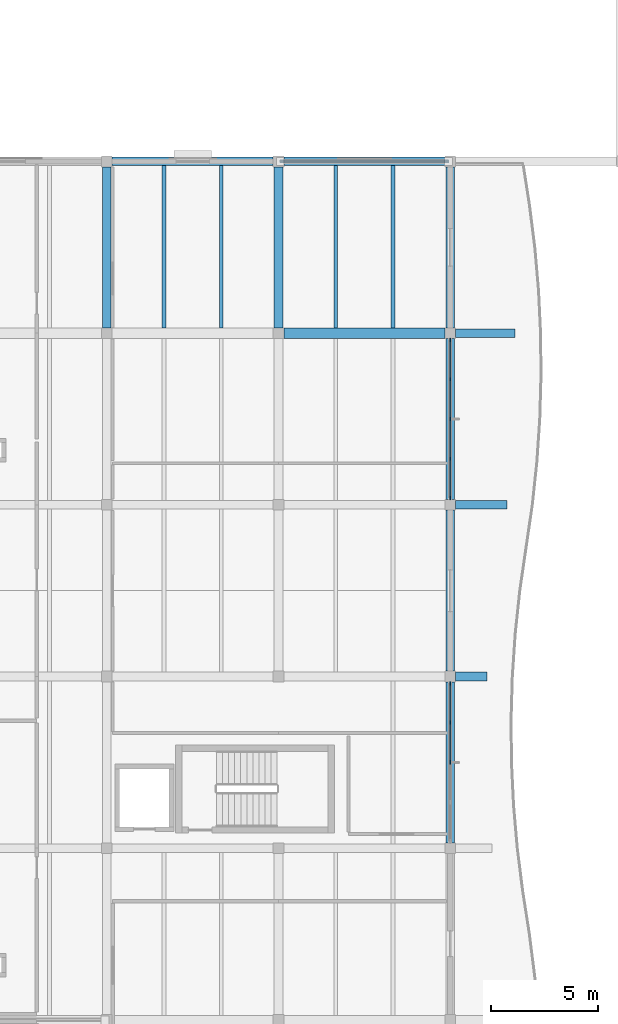
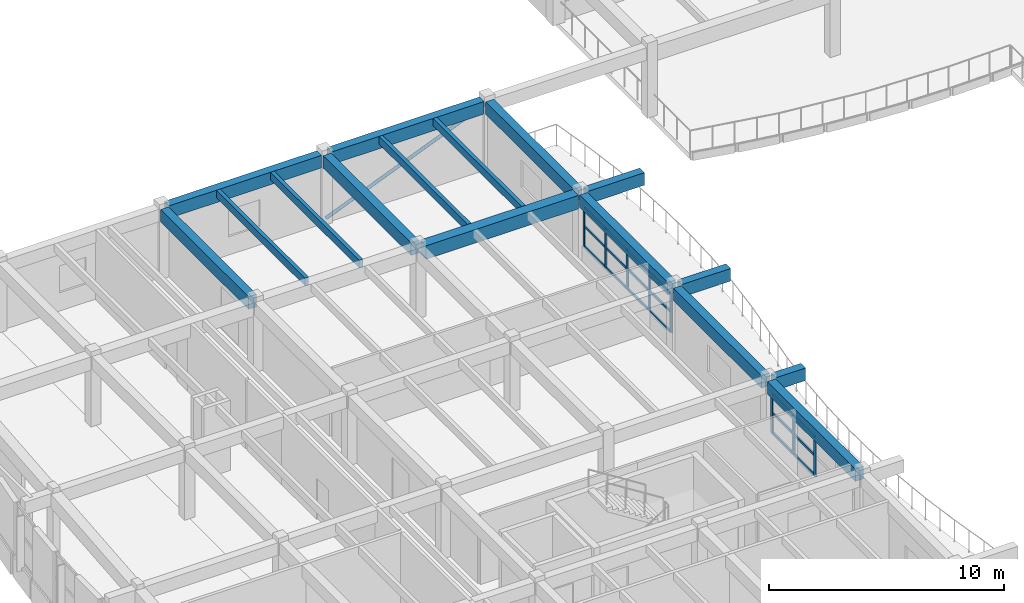
# One storey, part 17 of 89: 27 members, 16 beams, 2 elements without a shape of their own.
"""IFC4 building model written with IfcOpenShell, lengths in metres."""

import ifcopenshell
import ifcopenshell.guid

model = None  # the IFC model being written
_history = None  # IfcOwnerHistory: only IFC2X3 demands one
_inside = {}  # id of a spatial element -> (the spatial element, [elements in it])
_under = {}  # id of a project, library or spatial element -> (it, [spatial elements below it])
_declared = {}  # id of a project -> (the project, [libraries it declares])
_typed = {}  # id of a type object -> (the type object, [elements of that type])
_made_of = {}  # id of a material, layer set ... -> (it, [elements and type objects made of it])


def new_model(schema):
    """Start an empty IFC model of exactly this schema.

    Asked for "IFC4X3", IfcOpenShell would pick the latest addendum, in which some entities
    have other attributes; the version numbers below select the first issue.
    IFC2X3 requires an IfcOwnerHistory on every rooted entity: one is made here for all.
    """
    global model, _history
    if schema == "IFC4X3":
        model = ifcopenshell.file(schema_version=(4, 3, 0, 0))
    else:
        model = ifcopenshell.file(schema=schema)
    _inside.clear()
    _under.clear()
    _declared.clear()
    _typed.clear()
    _made_of.clear()
    _history = None
    if model.schema == "IFC2X3":
        org = make("IfcOrganization", Name="unknown")
        user = make(
            "IfcPersonAndOrganization",
            ThePerson=make("IfcPerson", FamilyName="unknown"),
            TheOrganization=org,
        )
        app = make(
            "IfcApplication",
            ApplicationDeveloper=org,
            Version="unknown",
            ApplicationFullName="unknown",
            ApplicationIdentifier="unknown",
        )
        _history = make(
            "IfcOwnerHistory",
            OwningUser=user,
            OwningApplication=app,
            ChangeAction="ADDED",
            CreationDate=0,
        )
    return model


def make(cls, **values):
    """One entity of the class cls with the attributes given. An attribute that is None is left unset."""
    return model.create_entity(
        cls, **{name: value for name, value in values.items() if value is not None}
    )


def rooted(cls, **values):
    """An entity with a GlobalId (a new one), such as an element, a storey or a relation."""
    return make(cls, GlobalId=ifcopenshell.guid.new(), OwnerHistory=_history, **values)


def si_unit(unit_type, name, prefix=None):
    """IfcSIUnit, for example si_unit("LENGTHUNIT", "METRE", prefix="MILLI")."""
    return make("IfcSIUnit", UnitType=unit_type, Prefix=prefix, Name=name)


def assignment(units):
    """IfcUnitAssignment: the units of a project."""
    return None if units is None else make("IfcUnitAssignment", Units=units)


def point(xyz):
    """IfcCartesianPoint."""
    return None if xyz is None else make("IfcCartesianPoint", Coordinates=xyz)


def direction(xyz):
    """IfcDirection."""
    return None if xyz is None else make("IfcDirection", DirectionRatios=xyz)


def frame(location, z_axis=None, x_axis=None):
    """IfcAxis2Placement3D, a coordinate frame: its origin and axes. An axis left out is left unset."""
    return make(
        "IfcAxis2Placement3D",
        Location=point(location),
        Axis=direction(z_axis),
        RefDirection=direction(x_axis),
    )


def frame_2d(location, x_axis=None):
    """IfcAxis2Placement2D, a coordinate frame in the plane: its origin and x axis."""
    return make(
        "IfcAxis2Placement2D", Location=point(location), RefDirection=direction(x_axis)
    )


def origin():
    """The frame at (0, 0, 0) with its axes left unset."""
    return frame((0.0, 0.0, 0.0))


def origin_2d():
    """The frame at (0, 0) in the plane with its x axis left unset."""
    return frame_2d((0.0, 0.0))


def place(relative_to, where):
    """IfcLocalPlacement: puts the frame where relative to a parent placement (None: the world)."""
    return make(
        "IfcLocalPlacement", PlacementRelTo=relative_to, RelativePlacement=where
    )


def context(
    kind, dimensions, precision=None, world=None, true_north=None, identifier=None
):
    """IfcGeometricRepresentationContext, for example the 3D "Model" context."""
    return make(
        "IfcGeometricRepresentationContext",
        ContextIdentifier=identifier,
        ContextType=kind,
        CoordinateSpaceDimension=dimensions,
        Precision=precision,
        WorldCoordinateSystem=world,
        TrueNorth=true_north,
    )


def subcontext(parent, identifier, kind, view, scale=None):
    """IfcGeometricRepresentationSubContext, for example "Body" below "Model"."""
    return make(
        "IfcGeometricRepresentationSubContext",
        ContextIdentifier=identifier,
        ContextType=kind,
        ParentContext=parent,
        TargetScale=scale,
        TargetView=view,
    )


def project(units=None, contexts=None):
    """IfcProject with its units and contexts."""
    return rooted(
        "IfcProject",
        Name="project",
        RepresentationContexts=contexts,
        UnitsInContext=assignment(units),
    )


def spatial(cls, under=None, at=None, **own):
    """A site, building, storey or space (cls), placed at a placement, below another one or the project."""
    s = rooted(cls, ObjectPlacement=at, **own)
    if under is not None:
        _under.setdefault(under.id(), (under, []))[1].append(s)
    return s


def profile(cls, at=None, kind="AREA", **sizes):
    """A parametric profile (cls). Its sizes go by their IFC names, for example OverallWidth=200.0."""
    return make(cls, ProfileType=kind, Position=at, **sizes)


def rectangle(**sizes):
    """IfcRectangleProfileDef."""
    return profile("IfcRectangleProfileDef", **sizes)


def hollow_circle(**sizes):
    """IfcCircleHollowProfileDef."""
    return profile("IfcCircleHollowProfileDef", **sizes)


def extrude(swept, where, along, depth):
    """IfcExtrudedAreaSolid: the profile swept, set in the frame where, extruded along a direction by depth."""
    return make(
        "IfcExtrudedAreaSolid",
        SweptArea=swept,
        Position=where,
        ExtrudedDirection=direction(along),
        Depth=depth,
    )


def shape(context_of_items, identifier, shape_type, items):
    """IfcShapeRepresentation: the items that make up one representation, for example the "Body"."""
    return make(
        "IfcShapeRepresentation",
        ContextOfItems=context_of_items,
        RepresentationIdentifier=identifier,
        RepresentationType=shape_type,
        Items=items,
    )


def material(Name=None, Category=None):
    """IfcMaterial."""
    return make("IfcMaterial", Name=Name, Category=Category)


def layer(
    of_material, thickness, ventilated=None, Name=None, Category=None, Priority=None
):
    """IfcMaterialLayer: one layer of a wall or slab, of a material (None: an air gap)."""
    return make(
        "IfcMaterialLayer",
        Material=of_material,
        LayerThickness=thickness,
        IsVentilated=ventilated,
        Name=Name,
        Category=Category,
        Priority=Priority,
    )


def layer_set(layers, Name=None):
    """IfcMaterialLayerSet."""
    return make("IfcMaterialLayerSet", MaterialLayers=layers, LayerSetName=Name)


def material_profile(
    of_material, cross_section, Name=None, Category=None, Priority=None
):
    """IfcMaterialProfile: a cross section and its material."""
    return make(
        "IfcMaterialProfile",
        Name=Name,
        Material=of_material,
        Profile=cross_section,
        Priority=Priority,
        Category=Category,
    )


def profile_set(profiles, Name=None, composite=None):
    """IfcMaterialProfileSet."""
    return make(
        "IfcMaterialProfileSet",
        Name=Name,
        MaterialProfiles=profiles,
        CompositeProfile=composite,
    )


def made_of(thing, what):
    """Note that an element or type object is made of a material, layer set ...; save() writes the relation."""
    if what is not None:
        _made_of.setdefault(what.id(), (what, []))[1].append(thing)
    return thing


def type_object(cls, material=None, **own):
    """A type object (cls), such as IfcWallType, which elements share."""
    return made_of(rooted(cls, **own), material)


def element(
    cls,
    number,
    at=None,
    inside=None,
    cuts=None,
    type_object=None,
    material=None,
    context=None,
    identifier="Body",
    shape_type=None,
    held_by="IfcProductDefinitionShape",
    body=None,
    shapes=None,
    **own,
):
    """One element of the class cls, such as IfcWall. Its Tag is "e" and its number.

    at: its placement. inside: the storey or other place that contains it. cuts: it is an
    opening in that element (IfcRelVoidsElement). A single representation is given by context,
    identifier, shape_type and body (its items); several are given by shapes. held_by: the class
    of the entity that holds the representations. save() writes the other relations.
    """
    e = rooted(cls, Tag="e%d" % number, ObjectPlacement=at, **own)
    if body is not None:
        shapes = [shape(context, identifier, shape_type, body)]
    if shapes is not None:
        e.Representation = make(held_by, Representations=shapes)
    if inside is not None:
        _inside.setdefault(inside.id(), (inside, []))[1].append(e)
    if cuts is not None:
        rooted(
            "IfcRelVoidsElement", RelatingBuildingElement=cuts, RelatedOpeningElement=e
        )
    if type_object is not None:
        _typed.setdefault(type_object.id(), (type_object, []))[1].append(e)
    return made_of(e, material)


def aggregate(whole, parts):
    """IfcRelAggregates: a whole, such as a stair, and the parts it consists of."""
    return rooted("IfcRelAggregates", RelatingObject=whole, RelatedObjects=parts)


def save(model, path):
    """Write the relations noted so far, then the file.

    IfcRelAggregates (storeys below a building ...), IfcRelContainedInSpatialStructure (elements
    in a storey), IfcRelDefinesByType, IfcRelAssociatesMaterial and IfcRelDeclares: one each for
    every whole, place, type object, material and project.
    """
    for whole, parts in _under.values():
        aggregate(whole, parts)
    for where, things in _inside.values():
        rooted(
            "IfcRelContainedInSpatialStructure",
            RelatedElements=things,
            RelatingStructure=where,
        )
    for kind, things in _typed.values():
        rooted("IfcRelDefinesByType", RelatedObjects=things, RelatingType=kind)
    for what, things in _made_of.values():
        rooted("IfcRelAssociatesMaterial", RelatedObjects=things, RelatingMaterial=what)
    for by, libraries in _declared.values():
        rooted("IfcRelDeclares", RelatingContext=by, RelatedDefinitions=libraries)
    model.write(path)


model = new_model("IFC4")

# Units and contexts
model_context = context("Model", 3, precision=1e-05, world=origin(), true_north=direction((0.0, 1.0)))
body_context = subcontext(model_context, "Body", "Model", "MODEL_VIEW")
ifc_project = project(units=[si_unit("LENGTHUNIT", "METRE"), si_unit("AREAUNIT", "SQUARE_METRE"), si_unit("VOLUMEUNIT", "CUBIC_METRE"), si_unit("PLANEANGLEUNIT", "RADIAN"), si_unit("MASSUNIT", "GRAM", prefix="KILO")], contexts=[model_context])

# Site, building, storey
site_placement = place(None, origin())
site = spatial("IfcSite", under=ifc_project, at=site_placement, CompositionType="ELEMENT")
building_placement = place(site_placement, origin())
building = spatial("IfcBuilding", under=site, at=building_placement, Name="Tonlespit Floodbar School", CompositionType="ELEMENT")
storey_placement = place(building_placement, frame((0.0, 0.0, 4.5)))
storey = spatial("IfcBuildingStorey", under=building, at=storey_placement, Name="L01", CompositionType="ELEMENT", Elevation=4.5)

# Beams
ifc_material_1 = material(Name="Concrete C40/50", Category="concrete")
ifc_material_profile_1 = material_profile(ifc_material_1, rectangle(XDim=0.39990234375, YDim=0.64990234375, at=origin_2d()), Name="RC 400x650")
ifc_profile_set_1 = profile_set([ifc_material_profile_1], Name="Concrete C40/50")
beam_type_1 = type_object("IfcBeamType", Name="Beam_RC_400x650", PredefinedType="BEAM", material=ifc_profile_set_1)
for number, where, z_axis, x_axis, name in (
    (1, (20.25, 96.0, 3.324951171875), (1.0, 0.0, 0.0), (0.0, 1.0, 0.0), "L01 girder 0614"),
    (2, (28.25, 96.0, 3.324951171875), (1.0, 0.0, 0.0), (0.0, 1.0, 0.0), "L01 girder 0615"),
    (3, (20.0, 88.25, 3.324951171875), (0.0, 1.0, 0.0), (-1.0, 0.0, 0.0), "L01 girder 0699"),
    (4, (28.0, 88.25, 3.324951171875), (0.0, 1.0, 0.0), (-1.0, 0.0, 0.0), "L01 girder 0711"),
    (5, (36.0, 64.25, 3.324951171875), (0.0, 1.0, 0.0), (-1.0, 0.0, 0.0), "L01 girder 0721"),
    (6, (36.0, 72.25, 3.324951171875), (0.0, 1.0, 0.0), (-1.0, 0.0, 0.0), "L01 girder 0722"),
    (7, (36.0, 80.25, 3.324951171875), (0.0, 1.0, 0.0), (-1.0, 0.0, 0.0), "L01 girder 0723"),
    (8, (36.0, 88.25, 3.324951171875), (0.0, 1.0, 0.0), (-1.0, 0.0, 0.0), "L01 girder 0724"),
):
    element("IfcBeam", number, at=place(storey_placement, frame(where, z_axis=z_axis, x_axis=x_axis)), inside=storey, type_object=beam_type_1, Name=name, PredefinedType="BEAM", context=body_context, shape_type="SweptSolid", body=[
        extrude(rectangle(XDim=0.39990234375, YDim=0.64990234375, at=origin_2d()), origin(), (0.0, 0.0, 1.0), 7.5),
    ])
beam_1_placement = place(storey_placement, frame((36.25, 72.0, 3.3310546875), z_axis=(1.0, 0.0, 0.0), x_axis=(0.0, 1.0, 0.0)))
element("IfcBeam", 9, at=beam_1_placement, inside=storey, type_object=beam_type_1, Name="L01 V2 court gallery cantilever rib", PredefinedType="BEAM", context=body_context, shape_type="SweptSolid", body=[
    extrude(rectangle(XDim=0.39990234375, YDim=0.64990234375, at=origin_2d()), origin(), (0.0, 0.0, 1.0), 1.460693359375),
])
beam_2_placement = place(storey_placement, frame((36.25, 80.0, 3.3310546875), z_axis=(1.0, 0.0, 0.0), x_axis=(0.0, 1.0, 0.0)))
element("IfcBeam", 10, at=beam_2_placement, inside=storey, type_object=beam_type_1, Name="L01 V2 court gallery cantilever rib", PredefinedType="BEAM", context=body_context, shape_type="SweptSolid", body=[
    extrude(rectangle(XDim=0.39990234375, YDim=0.64990234375, at=origin_2d()), origin(), (0.0, 0.0, 1.0), 2.3916015625),
])
beam_3_placement = place(storey_placement, frame((36.25, 88.0, 3.3310546875), z_axis=(1.0, 0.0, 0.0), x_axis=(0.0, 1.0, 0.0)))
element("IfcBeam", 11, at=beam_3_placement, inside=storey, type_object=beam_type_1, Name="L01 V2 court gallery cantilever rib", PredefinedType="BEAM", context=body_context, shape_type="SweptSolid", body=[
    extrude(rectangle(XDim=0.39990234375, YDim=0.64990234375, at=origin_2d()), origin(), (0.0, 0.0, 1.0), 2.77783203125),
])

# Member
ifc_material_2 = material(Name="Steel S355", Category="steel")
ifc_material_profile_2 = material_profile(ifc_material_2, hollow_circle(Radius=0.084228515625, WallThickness=0.008056640625, at=origin_2d()), Name="CHS 168.3x8")
ifc_profile_set_2 = profile_set([ifc_material_profile_2], Name="Steel S355")
member_type_1 = type_object("IfcMemberType", Name="Brace_STL_CHS168", PredefinedType="BRACE", material=ifc_profile_set_2)
member_1_placement = place(storey_placement, frame((28.080078125, 96.0, 0.14990234375), z_axis=(0.925836938306, 0.0, 0.377923224568), x_axis=(0.0, 1.0, 0.0)))
element("IfcMember", 12, at=member_1_placement, inside=storey, type_object=member_type_1, Name="L01 exposed deconstructivist lateral brace 2", PredefinedType="BRACE", context=body_context, shape_type="SweptSolid", body=[
    extrude(hollow_circle(Radius=0.084228515625, WallThickness=0.008056640625, at=origin_2d()), origin(), (0.0, 0.0, 1.0), 8.4677734375),
])

# Curtain wall, members
ifc_material_3 = material(Name="Anodised Aluminium", Category="aluminium")
ifc_layer = layer(ifc_material_3, 0.159912109375)
ifc_layer_set = layer_set([ifc_layer], Name="Anodised Aluminium")
curtain_wall_type = type_object("IfcCurtainWallType", Name="CurtainWall_7400x2050", PredefinedType="NOTDEFINED", material=ifc_layer_set)
curtain_wall_1_placement = place(storey_placement, origin())
curtain_wall_1 = element("IfcCurtainWall", 13, at=curtain_wall_1_placement, inside=storey, type_object=curtain_wall_type, Name="L01 unitised curtain wall 0282", PredefinedType="NOTDEFINED")
ifc_material_profile_3 = material_profile(ifc_material_3, rectangle(XDim=0.06494140625, YDim=0.14990234375, at=origin_2d()), Name="ALU M65x150")
ifc_profile_set_3 = profile_set([ifc_material_profile_3], Name="Anodised Aluminium")
member_type_2 = type_object("IfcMemberType", Name="CW_Mullion_65x150", PredefinedType="MULLION", material=ifc_profile_set_3)
member_2_placement = place(storey_placement, frame((36.0, 87.677490234375, 0.949951171875), z_axis=(0.0, 0.0, 1.0), x_axis=(1.0, 0.0, 0.0)))
member_2 = element("IfcMember", 14, at=member_2_placement, type_object=member_type_2, Name="CW-36 mullion 1", PredefinedType="MULLION", context=body_context, shape_type="SweptSolid", body=[
    extrude(rectangle(XDim=0.06494140625, YDim=0.14990234375, at=origin_2d()), origin(), (0.0, 0.0, 1.0), 2.050048828125),
])
member_3_placement = place(storey_placement, frame((36.0, 85.85498046875, 0.949951171875), z_axis=(0.0, 0.0, 1.0), x_axis=(1.0, 0.0, 0.0)))
member_3 = element("IfcMember", 15, at=member_3_placement, type_object=member_type_2, Name="CW-36 mullion 2", PredefinedType="MULLION", context=body_context, shape_type="SweptSolid", body=[
    extrude(rectangle(XDim=0.06494140625, YDim=0.14990234375, at=origin_2d()), origin(), (0.0, 0.0, 1.0), 2.050048828125),
])
member_4_placement = place(storey_placement, frame((36.0, 84.0, 0.949951171875), z_axis=(0.0, 0.0, 1.0), x_axis=(1.0, 0.0, 0.0)))
member_4 = element("IfcMember", 16, at=member_4_placement, type_object=member_type_2, Name="CW-36 mullion 3", PredefinedType="MULLION", context=body_context, shape_type="SweptSolid", body=[
    extrude(rectangle(XDim=0.06494140625, YDim=0.14990234375, at=origin_2d()), origin(), (0.0, 0.0, 1.0), 2.050048828125),
])
member_5_placement = place(storey_placement, frame((36.0, 82.14501953125, 0.949951171875), z_axis=(0.0, 0.0, 1.0), x_axis=(1.0, 0.0, 0.0)))
member_5 = element("IfcMember", 17, at=member_5_placement, type_object=member_type_2, Name="CW-36 mullion 4", PredefinedType="MULLION", context=body_context, shape_type="SweptSolid", body=[
    extrude(rectangle(XDim=0.06494140625, YDim=0.14990234375, at=origin_2d()), origin(), (0.0, 0.0, 1.0), 2.050048828125),
])
member_6_placement = place(storey_placement, frame((36.0, 80.322509765625, 0.949951171875), z_axis=(0.0, 0.0, 1.0), x_axis=(1.0, 0.0, 0.0)))
member_6 = element("IfcMember", 18, at=member_6_placement, type_object=member_type_2, Name="CW-36 mullion 5", PredefinedType="MULLION", context=body_context, shape_type="SweptSolid", body=[
    extrude(rectangle(XDim=0.06494140625, YDim=0.14990234375, at=origin_2d()), origin(), (0.0, 0.0, 1.0), 2.050048828125),
])

curtain_wall_2_placement = place(storey_placement, origin())
curtain_wall_2 = element("IfcCurtainWall", 19, at=curtain_wall_2_placement, inside=storey, type_object=curtain_wall_type, Name="L01 unitised curtain wall 0283", PredefinedType="NOTDEFINED")
ifc_material_profile_4 = material_profile(ifc_material_3, rectangle(XDim=0.06494140625, YDim=0.179931640625, at=origin_2d()), Name="ALU M65x180")
ifc_profile_set_4 = profile_set([ifc_material_profile_4], Name="Anodised Aluminium")
member_type_3 = type_object("IfcMemberType", Name="CW_Mullion_65x180", PredefinedType="MULLION", material=ifc_profile_set_4)
member_7_placement = place(storey_placement, frame((36.0, 71.677490234375, 0.949951171875), z_axis=(0.0, 0.0, 1.0), x_axis=(1.0, 0.0, 0.0)))
member_7 = element("IfcMember", 20, at=member_7_placement, type_object=member_type_3, Name="CW-36 mullion 1", PredefinedType="MULLION", context=body_context, shape_type="SweptSolid", body=[
    extrude(rectangle(XDim=0.06494140625, YDim=0.179931640625, at=origin_2d()), origin(), (0.0, 0.0, 1.0), 2.050048828125),
])
member_8_placement = place(storey_placement, frame((36.0, 69.85498046875, 0.949951171875), z_axis=(0.0, 0.0, 1.0), x_axis=(1.0, 0.0, 0.0)))
member_8 = element("IfcMember", 21, at=member_8_placement, type_object=member_type_3, Name="CW-36 mullion 2", PredefinedType="MULLION", context=body_context, shape_type="SweptSolid", body=[
    extrude(rectangle(XDim=0.06494140625, YDim=0.179931640625, at=origin_2d()), origin(), (0.0, 0.0, 1.0), 2.050048828125),
])
member_9_placement = place(storey_placement, frame((36.0, 68.0, 0.949951171875), z_axis=(0.0, 0.0, 1.0), x_axis=(1.0, 0.0, 0.0)))
member_9 = element("IfcMember", 22, at=member_9_placement, type_object=member_type_3, Name="CW-36 mullion 3", PredefinedType="MULLION", context=body_context, shape_type="SweptSolid", body=[
    extrude(rectangle(XDim=0.06494140625, YDim=0.179931640625, at=origin_2d()), origin(), (0.0, 0.0, 1.0), 2.050048828125),
])

# Member
ifc_material_profile_5 = material_profile(ifc_material_3, rectangle(XDim=0.06494140625, YDim=0.1201171875, at=origin_2d()), Name="ALU T65x120")
ifc_profile_set_5 = profile_set([ifc_material_profile_5], Name="Anodised Aluminium")
member_type_4 = type_object("IfcMemberType", Name="CW_Transom_65x120", PredefinedType="USERDEFINED", material=ifc_profile_set_5)
member_10_placement = place(storey_placement, frame((36.0, 87.64501953125, 0.982421875), z_axis=(0.0, -1.0, 0.0), x_axis=(1.0, 0.0, 0.0)))
member_10 = element("IfcMember", 23, at=member_10_placement, type_object=member_type_4, Name="CW-36 transom 1.1", ObjectType="TRANSOM", PredefinedType="USERDEFINED", context=body_context, shape_type="SweptSolid", body=[
    extrude(rectangle(XDim=0.06494140625, YDim=0.1201171875, at=origin_2d()), origin(), (0.0, 0.0, 1.0), 1.757568359375),
])

member_11_placement = place(storey_placement, frame((36.0, 87.64501953125, 2.01611328125), z_axis=(0.0, -1.0, 0.0), x_axis=(1.0, 0.0, 0.0)))
member_11 = element("IfcMember", 24, at=member_11_placement, type_object=member_type_4, Name="CW-36 transom 1.2", ObjectType="TRANSOM", PredefinedType="USERDEFINED", context=body_context, shape_type="SweptSolid", body=[
    extrude(rectangle(XDim=0.06494140625, YDim=0.1201171875, at=origin_2d()), origin(), (0.0, 0.0, 1.0), 1.757568359375),
])

member_12_placement = place(storey_placement, frame((36.0, 87.64501953125, 2.967529296875), z_axis=(0.0, -1.0, 0.0), x_axis=(1.0, 0.0, 0.0)))
member_12 = element("IfcMember", 25, at=member_12_placement, type_object=member_type_4, Name="CW-36 transom 1.3", ObjectType="TRANSOM", PredefinedType="USERDEFINED", context=body_context, shape_type="SweptSolid", body=[
    extrude(rectangle(XDim=0.06494140625, YDim=0.1201171875, at=origin_2d()), origin(), (0.0, 0.0, 1.0), 1.757568359375),
])

member_13_placement = place(storey_placement, frame((36.0, 85.822509765625, 0.982421875), z_axis=(0.0, -1.0, 0.0), x_axis=(1.0, 0.0, 0.0)))
member_13 = element("IfcMember", 26, at=member_13_placement, type_object=member_type_4, Name="CW-36 transom 2.1", ObjectType="TRANSOM", PredefinedType="USERDEFINED", context=body_context, shape_type="SweptSolid", body=[
    extrude(rectangle(XDim=0.06494140625, YDim=0.1201171875, at=origin_2d()), origin(), (0.0, 0.0, 1.0), 1.7900390625),
])

member_14_placement = place(storey_placement, frame((36.0, 85.822509765625, 2.01611328125), z_axis=(0.0, -1.0, 0.0), x_axis=(1.0, 0.0, 0.0)))
member_14 = element("IfcMember", 27, at=member_14_placement, type_object=member_type_4, Name="CW-36 transom 2.2", ObjectType="TRANSOM", PredefinedType="USERDEFINED", context=body_context, shape_type="SweptSolid", body=[
    extrude(rectangle(XDim=0.06494140625, YDim=0.1201171875, at=origin_2d()), origin(), (0.0, 0.0, 1.0), 1.7900390625),
])

member_15_placement = place(storey_placement, frame((36.0, 85.822509765625, 2.967529296875), z_axis=(0.0, -1.0, 0.0), x_axis=(1.0, 0.0, 0.0)))
member_15 = element("IfcMember", 28, at=member_15_placement, type_object=member_type_4, Name="CW-36 transom 2.3", ObjectType="TRANSOM", PredefinedType="USERDEFINED", context=body_context, shape_type="SweptSolid", body=[
    extrude(rectangle(XDim=0.06494140625, YDim=0.1201171875, at=origin_2d()), origin(), (0.0, 0.0, 1.0), 1.7900390625),
])

member_16_placement = place(storey_placement, frame((36.0, 83.967529296875, 0.982421875), z_axis=(0.0, -1.0, 0.0), x_axis=(1.0, 0.0, 0.0)))
member_16 = element("IfcMember", 29, at=member_16_placement, type_object=member_type_4, Name="CW-36 transom 3.1", ObjectType="TRANSOM", PredefinedType="USERDEFINED", context=body_context, shape_type="SweptSolid", body=[
    extrude(rectangle(XDim=0.06494140625, YDim=0.1201171875, at=origin_2d()), origin(), (0.0, 0.0, 1.0), 1.7900390625),
])

member_17_placement = place(storey_placement, frame((36.0, 83.967529296875, 2.01611328125), z_axis=(0.0, -1.0, 0.0), x_axis=(1.0, 0.0, 0.0)))
member_17 = element("IfcMember", 30, at=member_17_placement, type_object=member_type_4, Name="CW-36 transom 3.2", ObjectType="TRANSOM", PredefinedType="USERDEFINED", context=body_context, shape_type="SweptSolid", body=[
    extrude(rectangle(XDim=0.06494140625, YDim=0.1201171875, at=origin_2d()), origin(), (0.0, 0.0, 1.0), 1.7900390625),
])

member_18_placement = place(storey_placement, frame((36.0, 83.967529296875, 2.967529296875), z_axis=(0.0, -1.0, 0.0), x_axis=(1.0, 0.0, 0.0)))
member_18 = element("IfcMember", 31, at=member_18_placement, type_object=member_type_4, Name="CW-36 transom 3.3", ObjectType="TRANSOM", PredefinedType="USERDEFINED", context=body_context, shape_type="SweptSolid", body=[
    extrude(rectangle(XDim=0.06494140625, YDim=0.1201171875, at=origin_2d()), origin(), (0.0, 0.0, 1.0), 1.7900390625),
])

member_19_placement = place(storey_placement, frame((36.0, 82.112548828125, 0.982421875), z_axis=(0.0, -1.0, 0.0), x_axis=(1.0, 0.0, 0.0)))
member_19 = element("IfcMember", 32, at=member_19_placement, type_object=member_type_4, Name="CW-36 transom 4.1", ObjectType="TRANSOM", PredefinedType="USERDEFINED", context=body_context, shape_type="SweptSolid", body=[
    extrude(rectangle(XDim=0.06494140625, YDim=0.1201171875, at=origin_2d()), origin(), (0.0, 0.0, 1.0), 1.757568359375),
])

member_20_placement = place(storey_placement, frame((36.0, 82.112548828125, 2.01611328125), z_axis=(0.0, -1.0, 0.0), x_axis=(1.0, 0.0, 0.0)))
member_20 = element("IfcMember", 33, at=member_20_placement, type_object=member_type_4, Name="CW-36 transom 4.2", ObjectType="TRANSOM", PredefinedType="USERDEFINED", context=body_context, shape_type="SweptSolid", body=[
    extrude(rectangle(XDim=0.06494140625, YDim=0.1201171875, at=origin_2d()), origin(), (0.0, 0.0, 1.0), 1.757568359375),
])

member_21_placement = place(storey_placement, frame((36.0, 82.112548828125, 2.967529296875), z_axis=(0.0, -1.0, 0.0), x_axis=(1.0, 0.0, 0.0)))
member_21 = element("IfcMember", 34, at=member_21_placement, type_object=member_type_4, Name="CW-36 transom 4.3", ObjectType="TRANSOM", PredefinedType="USERDEFINED", context=body_context, shape_type="SweptSolid", body=[
    extrude(rectangle(XDim=0.06494140625, YDim=0.1201171875, at=origin_2d()), origin(), (0.0, 0.0, 1.0), 1.757568359375),
])

aggregate(curtain_wall_1, [member_2, member_3, member_4, member_5, member_6, member_10, member_11, member_12, member_13, member_14, member_15, member_16, member_17, member_18, member_19, member_20, member_21])

ifc_material_profile_6 = material_profile(ifc_material_3, rectangle(XDim=0.06494140625, YDim=0.139892578125, at=origin_2d()), Name="ALU T65x140")
ifc_profile_set_6 = profile_set([ifc_material_profile_6], Name="Anodised Aluminium")
member_type_5 = type_object("IfcMemberType", Name="CW_Transom_65x140", PredefinedType="USERDEFINED", material=ifc_profile_set_6)
member_22_placement = place(storey_placement, frame((36.0, 71.64501953125, 0.982421875), z_axis=(0.0, -1.0, 0.0), x_axis=(1.0, 0.0, 0.0)))
member_22 = element("IfcMember", 35, at=member_22_placement, type_object=member_type_5, Name="CW-36 transom 1.1", ObjectType="TRANSOM", PredefinedType="USERDEFINED", context=body_context, shape_type="SweptSolid", body=[
    extrude(rectangle(XDim=0.06494140625, YDim=0.139892578125, at=origin_2d()), origin(), (0.0, 0.0, 1.0), 1.757568359375),
])

member_23_placement = place(storey_placement, frame((36.0, 71.64501953125, 2.01611328125), z_axis=(0.0, -1.0, 0.0), x_axis=(1.0, 0.0, 0.0)))
member_23 = element("IfcMember", 36, at=member_23_placement, type_object=member_type_5, Name="CW-36 transom 1.2", ObjectType="TRANSOM", PredefinedType="USERDEFINED", context=body_context, shape_type="SweptSolid", body=[
    extrude(rectangle(XDim=0.06494140625, YDim=0.139892578125, at=origin_2d()), origin(), (0.0, 0.0, 1.0), 1.757568359375),
])

member_24_placement = place(storey_placement, frame((36.0, 71.64501953125, 2.967529296875), z_axis=(0.0, -1.0, 0.0), x_axis=(1.0, 0.0, 0.0)))
member_24 = element("IfcMember", 37, at=member_24_placement, type_object=member_type_5, Name="CW-36 transom 1.3", ObjectType="TRANSOM", PredefinedType="USERDEFINED", context=body_context, shape_type="SweptSolid", body=[
    extrude(rectangle(XDim=0.06494140625, YDim=0.139892578125, at=origin_2d()), origin(), (0.0, 0.0, 1.0), 1.757568359375),
])

member_25_placement = place(storey_placement, frame((36.0, 69.822509765625, 0.982421875), z_axis=(0.0, -1.0, 0.0), x_axis=(1.0, 0.0, 0.0)))
member_25 = element("IfcMember", 38, at=member_25_placement, type_object=member_type_5, Name="CW-36 transom 2.1", ObjectType="TRANSOM", PredefinedType="USERDEFINED", context=body_context, shape_type="SweptSolid", body=[
    extrude(rectangle(XDim=0.06494140625, YDim=0.139892578125, at=origin_2d()), origin(), (0.0, 0.0, 1.0), 1.7900390625),
])

member_26_placement = place(storey_placement, frame((36.0, 69.822509765625, 2.01611328125), z_axis=(0.0, -1.0, 0.0), x_axis=(1.0, 0.0, 0.0)))
member_26 = element("IfcMember", 39, at=member_26_placement, type_object=member_type_5, Name="CW-36 transom 2.2", ObjectType="TRANSOM", PredefinedType="USERDEFINED", context=body_context, shape_type="SweptSolid", body=[
    extrude(rectangle(XDim=0.06494140625, YDim=0.139892578125, at=origin_2d()), origin(), (0.0, 0.0, 1.0), 1.7900390625),
])

member_27_placement = place(storey_placement, frame((36.0, 69.822509765625, 2.967529296875), z_axis=(0.0, -1.0, 0.0), x_axis=(1.0, 0.0, 0.0)))
member_27 = element("IfcMember", 40, at=member_27_placement, type_object=member_type_5, Name="CW-36 transom 2.3", ObjectType="TRANSOM", PredefinedType="USERDEFINED", context=body_context, shape_type="SweptSolid", body=[
    extrude(rectangle(XDim=0.06494140625, YDim=0.139892578125, at=origin_2d()), origin(), (0.0, 0.0, 1.0), 1.7900390625),
])

aggregate(curtain_wall_2, [member_7, member_8, member_9, member_22, member_23, member_24, member_25, member_26, member_27])

# Beams
ifc_material_4 = material(Name="Glulam GL28h", Category="wood")
ifc_material_profile_7 = material_profile(ifc_material_4, rectangle(XDim=0.179931640625, YDim=0.39990234375, at=origin_2d()), Name="GL 180x400")
ifc_profile_set_7 = profile_set([ifc_material_profile_7], Name="Glulam GL28h")
beam_type_2 = type_object("IfcBeamType", Name="Joist_GL_180x400", PredefinedType="JOIST", material=ifc_profile_set_7)
for number, where, z_axis, x_axis, name in (
    (41, (22.666748046875, 88.25, 3.449951171875), (0.0, 1.0, 0.0), (-1.0, 0.0, 0.0), "L01 secondary joist 0859"),
    (42, (25.333251953125, 88.25, 3.449951171875), (0.0, 1.0, 0.0), (-1.0, 0.0, 0.0), "L01 secondary joist 0860"),
    (43, (30.666748046875, 88.25, 3.449951171875), (0.0, 1.0, 0.0), (-1.0, 0.0, 0.0), "L01 secondary joist 0861"),
    (44, (33.333251953125, 88.25, 3.449951171875), (0.0, 1.0, 0.0), (-1.0, 0.0, 0.0), "L01 secondary joist 0862"),
):
    element("IfcBeam", number, at=place(storey_placement, frame(where, z_axis=z_axis, x_axis=x_axis)), inside=storey, type_object=beam_type_2, Name=name, PredefinedType="JOIST", context=body_context, shape_type="SweptSolid", body=[
        extrude(rectangle(XDim=0.179931640625, YDim=0.39990234375, at=origin_2d()), origin(), (0.0, 0.0, 1.0), 7.550048828125),
    ])
ifc_material_profile_8 = material_profile(ifc_material_1, rectangle(XDim=0.5, YDim=0.699951171875, at=origin_2d()), Name="RC 500x700")
ifc_profile_set_8 = profile_set([ifc_material_profile_8], Name="Concrete C40/50")
beam_type_3 = type_object("IfcBeamType", Name="Spandrel_RC_500x700", PredefinedType="SPANDREL", material=ifc_profile_set_8)
beam_4_placement = place(storey_placement, frame((28.25, 88.0, 3.300048828125), z_axis=(1.0, 0.0, 0.0), x_axis=(0.0, 1.0, 0.0)))
element("IfcBeam", 45, at=beam_4_placement, inside=storey, type_object=beam_type_3, Name="L01 girder 0607", PredefinedType="SPANDREL", context=body_context, shape_type="SweptSolid", body=[
    extrude(rectangle(XDim=0.5, YDim=0.699951171875, at=origin_2d()), origin(), (0.0, 0.0, 1.0), 7.5),
])

save(model, "model.ifc")
